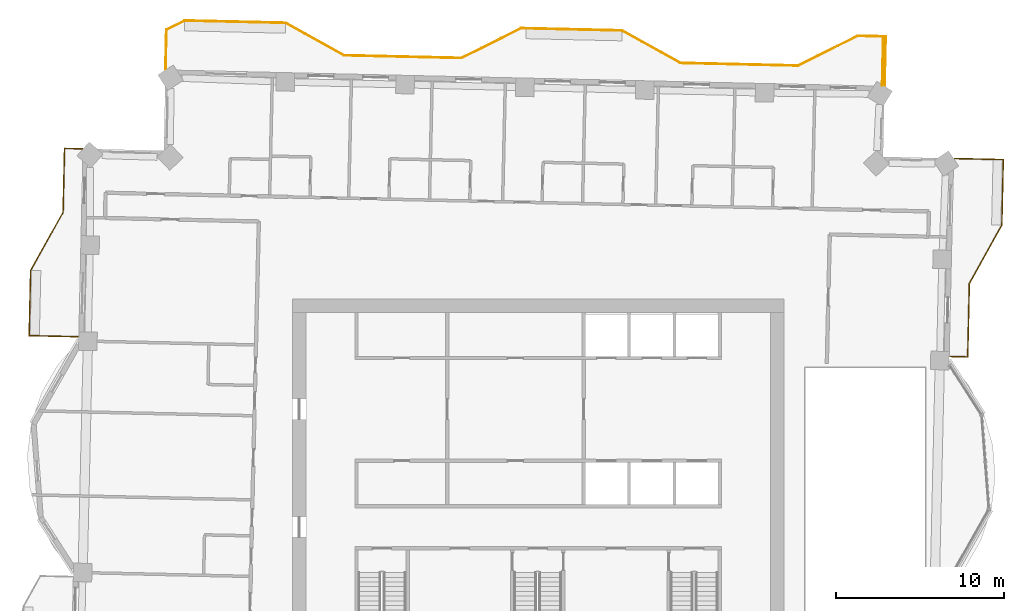
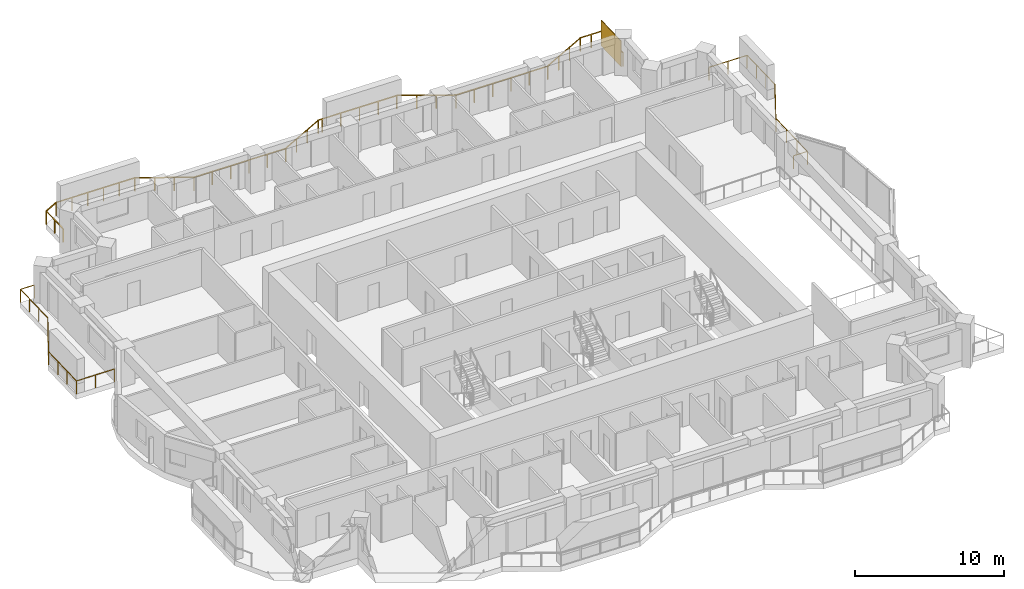
# One storey, part 16 of 16: 3 railings, 1 shading device.
"""IFC4 building model written with IfcOpenShell, lengths in metres."""

from ifc_helpers import new_model, si_unit, direction, frame, origin, origin_2d, place, context, subcontext, project, spatial, rectangle, extrude, material, type_object, element, save


model = new_model("IFC4")

# Units and contexts
model_context = context("Model", 3, precision=1e-05, world=origin(), true_north=direction((0.0, 1.0)))
body_context = subcontext(model_context, "Body", "Model", "MODEL_VIEW")
ifc_project = project(units=[si_unit("LENGTHUNIT", "METRE"), si_unit("AREAUNIT", "SQUARE_METRE"), si_unit("VOLUMEUNIT", "CUBIC_METRE"), si_unit("PLANEANGLEUNIT", "RADIAN"), si_unit("MASSUNIT", "GRAM", prefix="KILO")], contexts=[model_context])

# Site, building, storey
site_placement = place(None, origin())
site = spatial("IfcSite", under=ifc_project, at=site_placement, CompositionType="ELEMENT")
building_placement = place(site_placement, origin())
building = spatial("IfcBuilding", under=site, at=building_placement, Name="Mangrove Gate Tower", CompositionType="ELEMENT")
storey_placement = place(building_placement, frame((0.0, 0.0, 212.300048828125)))
storey = spatial("IfcBuildingStorey", under=building, at=storey_placement, Name="L54", CompositionType="ELEMENT", Elevation=212.300048828125)

# Railings
ifc_material_1 = material(Name="Stainless steel grade 316 with laminated glass infill", Category="steel")
railing_type = type_object("IfcRailingType", Name="Balcony guard 1100", PredefinedType="GUARDRAIL", material=ifc_material_1)
railing_1_placement = place(storey_placement, frame((24.467041015625, 8.18603515625, 0.0)))
element("IfcRailing", 1, at=railing_1_placement, inside=storey, type_object=railing_type, Name="GUARD L54 E2", PredefinedType="GUARDRAIL", context=body_context, shape_type="SweptSolid", body=[
    extrude(rectangle(XDim=0.048095703125, YDim=0.048095703125, at=origin_2d()), frame((0.0, 0.0, 1.076171875), z_axis=(0.999745389313, -0.022564497502, 0.0), x_axis=(0.022564497502, 0.999745389313, 0.0)), (0.0, 0.0, 1.0), 1.060302734375),
    extrude(rectangle(XDim=0.048095703125, YDim=0.048095703125, at=origin_2d()), frame((1.06005859375, -0.02392578125, 1.076171875), z_axis=(0.022606024383, 0.999744451178, 0.0), x_axis=(-0.999744451178, 0.022606024383, 0.0)), (0.0, 0.0, 1.0), 4.3740234375),
    extrude(rectangle(XDim=0.048095703125, YDim=0.048095703125, at=origin_2d()), frame((1.158935546875, 4.348876953125, 1.076171875), z_axis=(0.48726008209, 0.87325689943, 0.0), x_axis=(-0.87325689943, 0.48726008209, 0.0)), (0.0, 0.0, 1.0), 3.958740234375),
    extrude(rectangle(XDim=0.048095703125, YDim=0.048095703125, at=origin_2d()), frame((3.087890625, 7.805908203125, 1.076171875), z_axis=(0.022597696753, 0.999744639446, 0.0), x_axis=(-0.999744639446, 0.022597696753, 0.0)), (0.0, 0.0, 1.0), 3.900146484375),
    extrude(rectangle(XDim=0.048095703125, YDim=0.048095703125, at=origin_2d()), frame((3.176025390625, 11.705078125, 1.076171875), z_axis=(-0.999743392495, 0.022652795902, 0.0), x_axis=(-0.022652795902, -0.999743392495, 0.0)), (0.0, 0.0, 1.0), 2.909912109375),
    extrude(rectangle(XDim=0.0419921875, YDim=0.0419921875, at=origin_2d()), origin(), (0.0, 0.0, 1.0), 1.052001953125),
    extrude(rectangle(XDim=0.0419921875, YDim=0.0419921875, at=origin_2d()), frame((1.06005859375, -0.02392578125, 0.0)), (0.0, 0.0, 1.0), 1.052001953125),
    extrude(rectangle(XDim=0.0419921875, YDim=0.0419921875, at=origin_2d()), frame((1.093017578125, 1.43359375, 0.0)), (0.0, 0.0, 1.0), 1.052001953125),
    extrude(rectangle(XDim=0.0419921875, YDim=0.0419921875, at=origin_2d()), frame((1.1259765625, 2.891357421875, 0.0)), (0.0, 0.0, 1.0), 1.052001953125),
    extrude(rectangle(XDim=0.0419921875, YDim=0.0419921875, at=origin_2d()), frame((1.158935546875, 4.348876953125, 0.0)), (0.0, 0.0, 1.0), 1.052001953125),
    extrude(rectangle(XDim=0.0419921875, YDim=0.0419921875, at=origin_2d()), frame((1.802001953125, 5.501220703125, 0.0)), (0.0, 0.0, 1.0), 1.052001953125),
    extrude(rectangle(XDim=0.0419921875, YDim=0.0419921875, at=origin_2d()), frame((2.44482421875, 6.653564453125, 0.0)), (0.0, 0.0, 1.0), 1.052001953125),
    extrude(rectangle(XDim=0.0419921875, YDim=0.0419921875, at=origin_2d()), frame((3.087890625, 7.805908203125, 0.0)), (0.0, 0.0, 1.0), 1.052001953125),
    extrude(rectangle(XDim=0.0419921875, YDim=0.0419921875, at=origin_2d()), frame((3.1171875, 9.105712890625, 0.0)), (0.0, 0.0, 1.0), 1.052001953125),
    extrude(rectangle(XDim=0.0419921875, YDim=0.0419921875, at=origin_2d()), frame((3.146728515625, 10.4052734375, 0.0)), (0.0, 0.0, 1.0), 1.052001953125),
    extrude(rectangle(XDim=0.0419921875, YDim=0.0419921875, at=origin_2d()), frame((3.176025390625, 11.705078125, 0.0)), (0.0, 0.0, 1.0), 1.052001953125),
    extrude(rectangle(XDim=0.0419921875, YDim=0.0419921875, at=origin_2d()), frame((1.721435546875, 11.738037109375, 0.0)), (0.0, 0.0, 1.0), 1.052001953125),
    extrude(rectangle(XDim=0.0419921875, YDim=0.0419921875, at=origin_2d()), frame((0.266845703125, 11.77099609375, 0.0)), (0.0, 0.0, 1.0), 1.052001953125),
])
railing_2_placement = place(storey_placement, frame((20.591064453125, 24.2919921875, 0.0)))
element("IfcRailing", 2, at=railing_2_placement, inside=storey, type_object=railing_type, Name="GUARD L54 N1", PredefinedType="GUARDRAIL", context=body_context, shape_type="SweptSolid", body=[
    extrude(rectangle(XDim=0.048095703125, YDim=0.048095703125, at=origin_2d()), frame((0.0, 0.0, 1.076171875), z_axis=(0.022647097142, 0.999743521605, 0.0), x_axis=(-0.999743521605, 0.022647097142, 0.0)), (0.0, 0.0, 1.0), 2.91064453125),
    extrude(rectangle(XDim=0.048095703125, YDim=0.048095703125, at=origin_2d()), frame((0.06591796875, 2.909912109375, 1.076171875), z_axis=(-0.999740325078, 0.022787768953, 0.0), x_axis=(-0.022787768953, -0.999740325078, 0.0)), (0.0, 0.0, 1.0), 1.67138671875),
    extrude(rectangle(XDim=0.048095703125, YDim=0.048095703125, at=origin_2d()), frame((-1.60498046875, 2.947998046875, 1.076171875), z_axis=(-0.894377854182, -0.447312255532, 0.0), x_axis=(0.447312255532, -0.894377854182, 0.0)), (0.0, 0.0, 1.0), 3.959228515625),
    extrude(rectangle(XDim=0.048095703125, YDim=0.048095703125, at=origin_2d()), frame((-5.14599609375, 1.177001953125, 1.076171875), z_axis=(-0.999742267452, 0.022702393474, 0.0), x_axis=(-0.022702393474, -0.999742267452, 0.0)), (0.0, 0.0, 1.0), 7.000732421875),
    extrude(rectangle(XDim=0.048095703125, YDim=0.048095703125, at=origin_2d()), frame((-12.14501953125, 1.3359375, 1.076171875), z_axis=(-0.87325689943, 0.48726008209, 0.0), x_axis=(-0.48726008209, -0.87325689943, 0.0)), (0.0, 0.0, 1.0), 3.958740234375),
    extrude(rectangle(XDim=0.048095703125, YDim=0.048095703125, at=origin_2d()), frame((-15.60205078125, 3.264892578125, 1.076171875), z_axis=(-0.999743226877, 0.02266010399, 0.0), x_axis=(-0.02266010399, -0.999743226877, 0.0)), (0.0, 0.0, 1.0), 5.699462890625),
    extrude(rectangle(XDim=0.048095703125, YDim=0.048095703125, at=origin_2d()), frame((-21.300048828125, 3.39404296875, 1.076171875), z_axis=(-0.999721720687, 0.023589853458, 0.0), x_axis=(-0.023589853458, -0.999721720687, 0.0)), (0.0, 0.0, 1.0), 0.300048828125),
    extrude(rectangle(XDim=0.048095703125, YDim=0.048095703125, at=origin_2d()), frame((-21.60009765625, 3.401123046875, 1.076171875), z_axis=(-0.894476522376, -0.447114919141, 0.0), x_axis=(0.447114919141, -0.894476522376, 0.0)), (0.0, 0.0, 1.0), 3.958740234375),
    extrude(rectangle(XDim=0.048095703125, YDim=0.048095703125, at=origin_2d()), frame((-25.14111328125, 1.631103515625, 1.076171875), z_axis=(-0.999742195543, 0.022705559911, 0.0), x_axis=(-0.022705559911, -0.999742195543, 0.0)), (0.0, 0.0, 1.0), 6.999755859375),
    extrude(rectangle(XDim=0.048095703125, YDim=0.048095703125, at=origin_2d()), frame((-32.13916015625, 1.7900390625, 1.076171875), z_axis=(-0.873242256246, 0.487286324359, 0.0), x_axis=(-0.487286324359, -0.873242256246, 0.0)), (0.0, 0.0, 1.0), 3.95849609375),
    extrude(rectangle(XDim=0.048095703125, YDim=0.048095703125, at=origin_2d()), frame((-35.595947265625, 3.718994140625, 1.076171875), z_axis=(-0.999743178102, 0.022662255828, 0.0), x_axis=(-0.022662255828, -0.999743178102, 0.0)), (0.0, 0.0, 1.0), 6.00048828125),
    extrude(rectangle(XDim=0.048095703125, YDim=0.048095703125, at=origin_2d()), frame((-41.594970703125, 3.85498046875, 1.076171875), z_axis=(-0.894628366645, -0.446811017762, 0.0), x_axis=(0.446811017762, -0.894628366645, 0.0)), (0.0, 0.0, 1.0), 1.213134765625),
    extrude(rectangle(XDim=0.048095703125, YDim=0.048095703125, at=origin_2d()), frame((-42.68017578125, 3.31298828125, 1.076171875), z_axis=(-0.022188971368, -0.999753794466, 0.0), x_axis=(0.999753794466, -0.022188971368, 0.0)), (0.0, 0.0, 1.0), 2.343505859375),
    extrude(rectangle(XDim=0.0419921875, YDim=0.0419921875, at=origin_2d()), origin(), (0.0, 0.0, 1.0), 1.052001953125),
    extrude(rectangle(XDim=0.0419921875, YDim=0.0419921875, at=origin_2d()), frame((0.032958984375, 1.455078125, 0.0)), (0.0, 0.0, 1.0), 1.052001953125),
    extrude(rectangle(XDim=0.0419921875, YDim=0.0419921875, at=origin_2d()), frame((0.06591796875, 2.909912109375, 0.0)), (0.0, 0.0, 1.0), 1.052001953125),
    extrude(rectangle(XDim=0.0419921875, YDim=0.0419921875, at=origin_2d()), frame((-0.76953125, 2.928955078125, 0.0)), (0.0, 0.0, 1.0), 1.052001953125),
    extrude(rectangle(XDim=0.0419921875, YDim=0.0419921875, at=origin_2d()), frame((-1.60498046875, 2.947998046875, 0.0)), (0.0, 0.0, 1.0), 1.052001953125),
    extrude(rectangle(XDim=0.0419921875, YDim=0.0419921875, at=origin_2d()), frame((-2.785400390625, 2.357666015625, 0.0)), (0.0, 0.0, 1.0), 1.052001953125),
    extrude(rectangle(XDim=0.0419921875, YDim=0.0419921875, at=origin_2d()), frame((-3.965576171875, 1.767333984375, 0.0)), (0.0, 0.0, 1.0), 1.052001953125),
    extrude(rectangle(XDim=0.0419921875, YDim=0.0419921875, at=origin_2d()), frame((-5.14599609375, 1.177001953125, 0.0)), (0.0, 0.0, 1.0), 1.052001953125),
    extrude(rectangle(XDim=0.0419921875, YDim=0.0419921875, at=origin_2d()), frame((-6.5458984375, 1.208740234375, 0.0)), (0.0, 0.0, 1.0), 1.052001953125),
    extrude(rectangle(XDim=0.0419921875, YDim=0.0419921875, at=origin_2d()), frame((-7.945556640625, 1.240478515625, 0.0)), (0.0, 0.0, 1.0), 1.052001953125),
    extrude(rectangle(XDim=0.0419921875, YDim=0.0419921875, at=origin_2d()), frame((-9.345458984375, 1.2724609375, 0.0)), (0.0, 0.0, 1.0), 1.052001953125),
    extrude(rectangle(XDim=0.0419921875, YDim=0.0419921875, at=origin_2d()), frame((-10.7451171875, 1.30419921875, 0.0)), (0.0, 0.0, 1.0), 1.052001953125),
    extrude(rectangle(XDim=0.0419921875, YDim=0.0419921875, at=origin_2d()), frame((-12.14501953125, 1.3359375, 0.0)), (0.0, 0.0, 1.0), 1.052001953125),
    extrude(rectangle(XDim=0.0419921875, YDim=0.0419921875, at=origin_2d()), frame((-13.29736328125, 1.97900390625, 0.0)), (0.0, 0.0, 1.0), 1.052001953125),
    extrude(rectangle(XDim=0.0419921875, YDim=0.0419921875, at=origin_2d()), frame((-14.44970703125, 2.621826171875, 0.0)), (0.0, 0.0, 1.0), 1.052001953125),
    extrude(rectangle(XDim=0.0419921875, YDim=0.0419921875, at=origin_2d()), frame((-15.60205078125, 3.264892578125, 0.0)), (0.0, 0.0, 1.0), 1.052001953125),
    extrude(rectangle(XDim=0.0419921875, YDim=0.0419921875, at=origin_2d()), frame((-17.026611328125, 3.297119140625, 0.0)), (0.0, 0.0, 1.0), 1.052001953125),
    extrude(rectangle(XDim=0.0419921875, YDim=0.0419921875, at=origin_2d()), frame((-18.451171875, 3.32958984375, 0.0)), (0.0, 0.0, 1.0), 1.052001953125),
    extrude(rectangle(XDim=0.0419921875, YDim=0.0419921875, at=origin_2d()), frame((-19.87548828125, 3.36181640625, 0.0)), (0.0, 0.0, 1.0), 1.052001953125),
    extrude(rectangle(XDim=0.0419921875, YDim=0.0419921875, at=origin_2d()), frame((-21.300048828125, 3.39404296875, 0.0)), (0.0, 0.0, 1.0), 1.052001953125),
    extrude(rectangle(XDim=0.0419921875, YDim=0.0419921875, at=origin_2d()), frame((-21.60009765625, 3.401123046875, 0.0)), (0.0, 0.0, 1.0), 1.052001953125),
    extrude(rectangle(XDim=0.0419921875, YDim=0.0419921875, at=origin_2d()), frame((-22.780517578125, 2.81103515625, 0.0)), (0.0, 0.0, 1.0), 1.052001953125),
    extrude(rectangle(XDim=0.0419921875, YDim=0.0419921875, at=origin_2d()), frame((-23.960693359375, 2.22119140625, 0.0)), (0.0, 0.0, 1.0), 1.052001953125),
    extrude(rectangle(XDim=0.0419921875, YDim=0.0419921875, at=origin_2d()), frame((-25.14111328125, 1.631103515625, 0.0)), (0.0, 0.0, 1.0), 1.052001953125),
    extrude(rectangle(XDim=0.0419921875, YDim=0.0419921875, at=origin_2d()), frame((-26.540771484375, 1.662841796875, 0.0)), (0.0, 0.0, 1.0), 1.052001953125),
    extrude(rectangle(XDim=0.0419921875, YDim=0.0419921875, at=origin_2d()), frame((-27.9404296875, 1.694580078125, 0.0)), (0.0, 0.0, 1.0), 1.052001953125),
    extrude(rectangle(XDim=0.0419921875, YDim=0.0419921875, at=origin_2d()), frame((-29.33984375, 1.7265625, 0.0)), (0.0, 0.0, 1.0), 1.052001953125),
    extrude(rectangle(XDim=0.0419921875, YDim=0.0419921875, at=origin_2d()), frame((-30.739501953125, 1.75830078125, 0.0)), (0.0, 0.0, 1.0), 1.052001953125),
    extrude(rectangle(XDim=0.0419921875, YDim=0.0419921875, at=origin_2d()), frame((-32.13916015625, 1.7900390625, 0.0)), (0.0, 0.0, 1.0), 1.052001953125),
    extrude(rectangle(XDim=0.0419921875, YDim=0.0419921875, at=origin_2d()), frame((-33.29150390625, 2.43310546875, 0.0)), (0.0, 0.0, 1.0), 1.052001953125),
    extrude(rectangle(XDim=0.0419921875, YDim=0.0419921875, at=origin_2d()), frame((-34.443603515625, 3.075927734375, 0.0)), (0.0, 0.0, 1.0), 1.052001953125),
    extrude(rectangle(XDim=0.0419921875, YDim=0.0419921875, at=origin_2d()), frame((-35.595947265625, 3.718994140625, 0.0)), (0.0, 0.0, 1.0), 1.052001953125),
    extrude(rectangle(XDim=0.0419921875, YDim=0.0419921875, at=origin_2d()), frame((-36.795654296875, 3.74609375, 0.0)), (0.0, 0.0, 1.0), 1.052001953125),
    extrude(rectangle(XDim=0.0419921875, YDim=0.0419921875, at=origin_2d()), frame((-37.99560546875, 3.7734375, 0.0)), (0.0, 0.0, 1.0), 1.052001953125),
    extrude(rectangle(XDim=0.0419921875, YDim=0.0419921875, at=origin_2d()), frame((-39.1953125, 3.800537109375, 0.0)), (0.0, 0.0, 1.0), 1.052001953125),
    extrude(rectangle(XDim=0.0419921875, YDim=0.0419921875, at=origin_2d()), frame((-40.395263671875, 3.827880859375, 0.0)), (0.0, 0.0, 1.0), 1.052001953125),
    extrude(rectangle(XDim=0.0419921875, YDim=0.0419921875, at=origin_2d()), frame((-41.594970703125, 3.85498046875, 0.0)), (0.0, 0.0, 1.0), 1.052001953125),
    extrude(rectangle(XDim=0.0419921875, YDim=0.0419921875, at=origin_2d()), frame((-42.68017578125, 3.31298828125, 0.0)), (0.0, 0.0, 1.0), 1.052001953125),
    extrude(rectangle(XDim=0.0419921875, YDim=0.0419921875, at=origin_2d()), frame((-42.7060546875, 2.1416015625, 0.0)), (0.0, 0.0, 1.0), 1.052001953125),
    extrude(rectangle(XDim=0.0419921875, YDim=0.0419921875, at=origin_2d()), frame((-42.732177734375, 0.969970703125, 0.0)), (0.0, 0.0, 1.0), 1.052001953125),
])
railing_3_placement = place(storey_placement, frame((-27.090087890625, 20.532958984375, 0.0)))
element("IfcRailing", 3, at=railing_3_placement, inside=storey, type_object=railing_type, Name="GUARD L54 W1", PredefinedType="GUARDRAIL", context=body_context, shape_type="SweptSolid", body=[
    extrude(rectangle(XDim=0.048095703125, YDim=0.048095703125, at=origin_2d()), frame((0.0, 0.0, 1.076171875), z_axis=(-0.999745272039, 0.02256969285, 0.0), x_axis=(-0.02256969285, -0.999745272039, 0.0)), (0.0, 0.0, 1.0), 1.06005859375),
    extrude(rectangle(XDim=0.048095703125, YDim=0.048095703125, at=origin_2d()), frame((-1.059814453125, 0.02392578125, 1.076171875), z_axis=(-0.022680539557, -0.999742763477, 0.0), x_axis=(0.999742763477, -0.022680539557, 0.0)), (0.0, 0.0, 1.0), 3.7998046875),
    extrude(rectangle(XDim=0.048095703125, YDim=0.048095703125, at=origin_2d()), frame((-1.14599609375, -3.77490234375, 1.076171875), z_axis=(-0.48726008209, -0.87325689943, 0.0), x_axis=(0.87325689943, -0.48726008209, 0.0)), (0.0, 0.0, 1.0), 3.958740234375),
    extrude(rectangle(XDim=0.048095703125, YDim=0.048095703125, at=origin_2d()), frame((-3.074951171875, -7.23193359375, 1.076171875), z_axis=(-0.022681332769, -0.999742745482, 0.0), x_axis=(0.999742745482, -0.022681332769, 0.0)), (0.0, 0.0, 1.0), 3.875),
    extrude(rectangle(XDim=0.048095703125, YDim=0.048095703125, at=origin_2d()), frame((-3.162841796875, -11.10595703125, 1.076171875), z_axis=(0.999743349437, -0.022654696127, 0.0), x_axis=(0.022654696127, 0.999743349437, 0.0)), (0.0, 0.0, 1.0), 2.90966796875),
    extrude(rectangle(XDim=0.0419921875, YDim=0.0419921875, at=origin_2d()), origin(), (0.0, 0.0, 1.0), 1.052001953125),
    extrude(rectangle(XDim=0.0419921875, YDim=0.0419921875, at=origin_2d()), frame((-1.059814453125, 0.02392578125, 0.0)), (0.0, 0.0, 1.0), 1.052001953125),
    extrude(rectangle(XDim=0.0419921875, YDim=0.0419921875, at=origin_2d()), frame((-1.088623046875, -1.242431640625, 0.0)), (0.0, 0.0, 1.0), 1.052001953125),
    extrude(rectangle(XDim=0.0419921875, YDim=0.0419921875, at=origin_2d()), frame((-1.1171875, -2.508544921875, 0.0)), (0.0, 0.0, 1.0), 1.052001953125),
    extrude(rectangle(XDim=0.0419921875, YDim=0.0419921875, at=origin_2d()), frame((-1.14599609375, -3.77490234375, 0.0)), (0.0, 0.0, 1.0), 1.052001953125),
    extrude(rectangle(XDim=0.0419921875, YDim=0.0419921875, at=origin_2d()), frame((-1.7890625, -4.92724609375, 0.0)), (0.0, 0.0, 1.0), 1.052001953125),
    extrude(rectangle(XDim=0.0419921875, YDim=0.0419921875, at=origin_2d()), frame((-2.431884765625, -6.07958984375, 0.0)), (0.0, 0.0, 1.0), 1.052001953125),
    extrude(rectangle(XDim=0.0419921875, YDim=0.0419921875, at=origin_2d()), frame((-3.074951171875, -7.23193359375, 0.0)), (0.0, 0.0, 1.0), 1.052001953125),
    extrude(rectangle(XDim=0.0419921875, YDim=0.0419921875, at=origin_2d()), frame((-3.104248046875, -8.523193359375, 0.0)), (0.0, 0.0, 1.0), 1.052001953125),
    extrude(rectangle(XDim=0.0419921875, YDim=0.0419921875, at=origin_2d()), frame((-3.133544921875, -9.814697265625, 0.0)), (0.0, 0.0, 1.0), 1.052001953125),
    extrude(rectangle(XDim=0.0419921875, YDim=0.0419921875, at=origin_2d()), frame((-3.162841796875, -11.10595703125, 0.0)), (0.0, 0.0, 1.0), 1.052001953125),
    extrude(rectangle(XDim=0.0419921875, YDim=0.0419921875, at=origin_2d()), frame((-1.70849609375, -11.138916015625, 0.0)), (0.0, 0.0, 1.0), 1.052001953125),
    extrude(rectangle(XDim=0.0419921875, YDim=0.0419921875, at=origin_2d()), frame((-0.25390625, -11.171875, 0.0)), (0.0, 0.0, 1.0), 1.052001953125),
])

# Shading device
ifc_material_2 = material(Name="Timber slat screen in teak", Category="wood")
shading_device_type = type_object("IfcShadingDeviceType", Name="Balcony screen 2100", PredefinedType="USERDEFINED", material=ifc_material_2)
shading_device_placement = place(storey_placement, frame((20.48193359375, 25.669921875, 0.0), z_axis=(0.0, 0.0, 1.0), x_axis=(0.022739679942, 0.999741420046, 0.0)))
element("IfcShadingDevice", 4, at=shading_device_placement, inside=storey, type_object=shading_device_type, Name="SCREEN L54 N0", ObjectType="SCREEN", PredefinedType="USERDEFINED", context=body_context, shape_type="SweptSolid", body=[
    extrude(rectangle(XDim=2.791015625, YDim=0.050048828125, at=origin_2d()), origin(), (0.0, 0.0, 1.0), 2.10009765625),
])

save(model, "model.ifc")
